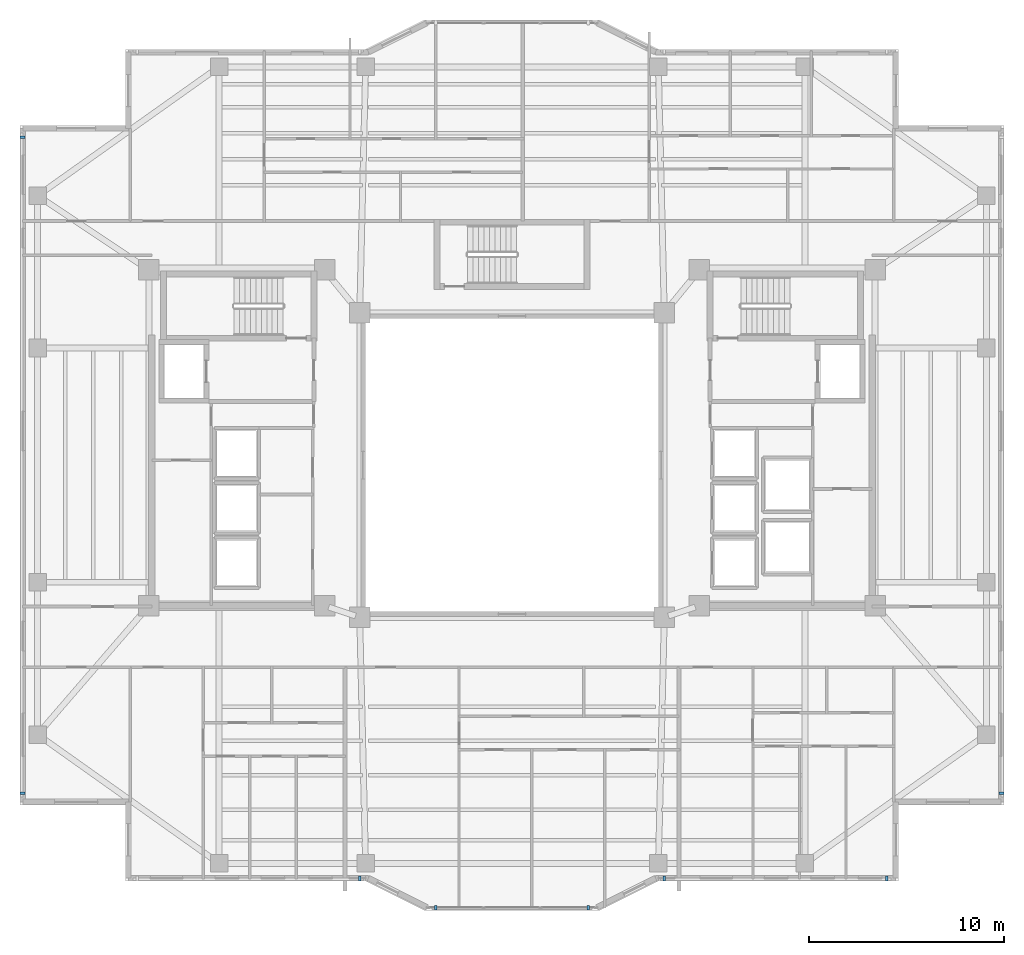
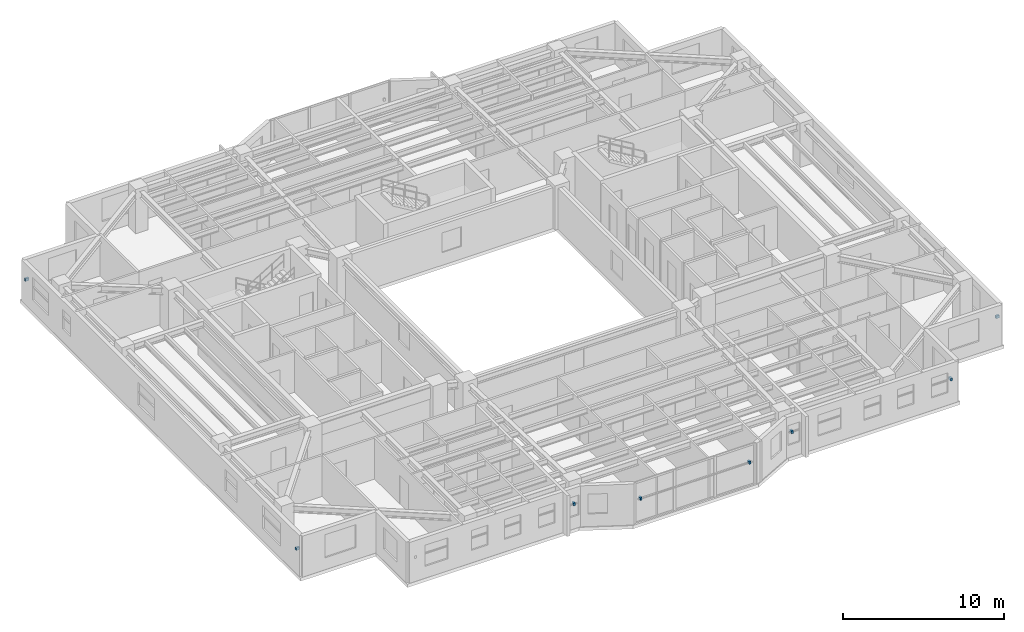
# One storey, part 12 of 16: 8 discrete accessories.
"""IFC4 building model written with IfcOpenShell, lengths in metres."""

from ifc_helpers import new_model, si_unit, direction, frame, origin, origin_2d, place, context, subcontext, project, spatial, rectangle, extrude, material, type_object, element, save


model = new_model("IFC4")

# Units and contexts
model_context = context("Model", 3, precision=1e-05, world=origin(), true_north=direction((0.0, 1.0)))
body_context = subcontext(model_context, "Body", "Model", "MODEL_VIEW")
ifc_project = project(units=[si_unit("LENGTHUNIT", "METRE"), si_unit("AREAUNIT", "SQUARE_METRE"), si_unit("VOLUMEUNIT", "CUBIC_METRE"), si_unit("PLANEANGLEUNIT", "RADIAN"), si_unit("MASSUNIT", "GRAM", prefix="KILO")], contexts=[model_context])

# Site, building, storey
site_placement = place(None, origin())
site = spatial("IfcSite", under=ifc_project, at=site_placement, CompositionType="ELEMENT")
building_placement = place(site_placement, origin())
building = spatial("IfcBuilding", under=site, at=building_placement, Name="Tarnavaz Court Tower", CompositionType="ELEMENT")
storey_placement = place(building_placement, frame((0.0, 0.0, 146.0)))
storey = spatial("IfcBuildingStorey", under=building, at=storey_placement, Name="L39", CompositionType="ELEMENT", Elevation=146.0)

# Discrete accessories
ifc_material = material(Name="Anodised Aluminium 6063-T6", Category="aluminium")
discrete_accessory_type = type_object("IfcDiscreteAccessoryType", Name="DA-BRKT-ALU", PredefinedType="BRACKET", material=ifc_material)
for number, where, z_axis, x_axis, name in (
    (1, (-25.070068359375, -16.800048828125, 1.75), (0.0, 0.0, 1.0), (0.0, 1.0, 0.0), "L39 Baguette Outrigger Bracket FBG02-1"),
    (2, (-25.070068359375, 16.800048828125, 1.75), (0.0, 0.0, 1.0), (0.0, 1.0, 0.0), "L39 Baguette Outrigger Bracket FBG02-2"),
    (3, (25.070068359375, -16.800048828125, 1.75), (0.0, 0.0, 1.0), (0.0, -1.0, 0.0), "L39 Baguette Outrigger Bracket FBG12-2"),
    (4, (19.199951171875, -21.169921875, 1.75), (0.0, 0.0, 1.0), (-1.0, 0.0, 0.0), "L39 Baguette Outrigger Bracket FBG15-1"),
    (5, (7.800048828125, -21.169921875, 1.75), (0.0, 0.0, 1.0), (-1.0, 0.0, 0.0), "L39 Baguette Outrigger Bracket FBG15-2"),
    (6, (3.89990234375, -22.669921875, 1.7001953125), (0.0, 0.0, 1.0), (-1.0, 0.0, 0.0), "L39 Baguette Outrigger Bracket PBG17-1"),
    (7, (-3.89990234375, -22.669921875, 1.7001953125), (0.0, 0.0, 1.0), (-1.0, 0.0, 0.0), "L39 Baguette Outrigger Bracket PBG17-2"),
    (8, (-7.800048828125, -21.169921875, 1.75), (0.0, 0.0, 1.0), (-1.0, 0.0, 0.0), "L39 Baguette Outrigger Bracket FBG19-1"),
):
    element("IfcDiscreteAccessory", number, at=place(storey_placement, frame(where, z_axis=z_axis, x_axis=x_axis)), inside=storey, type_object=discrete_accessory_type, Name=name, PredefinedType="BRACKET", context=body_context, shape_type="SweptSolid", body=[
        extrude(rectangle(XDim=0.139892578125, YDim=0.239990234375, at=origin_2d()), origin(), (0.0, 0.0, 1.0), 0.199951171875),
    ])

save(model, "model.ifc")
